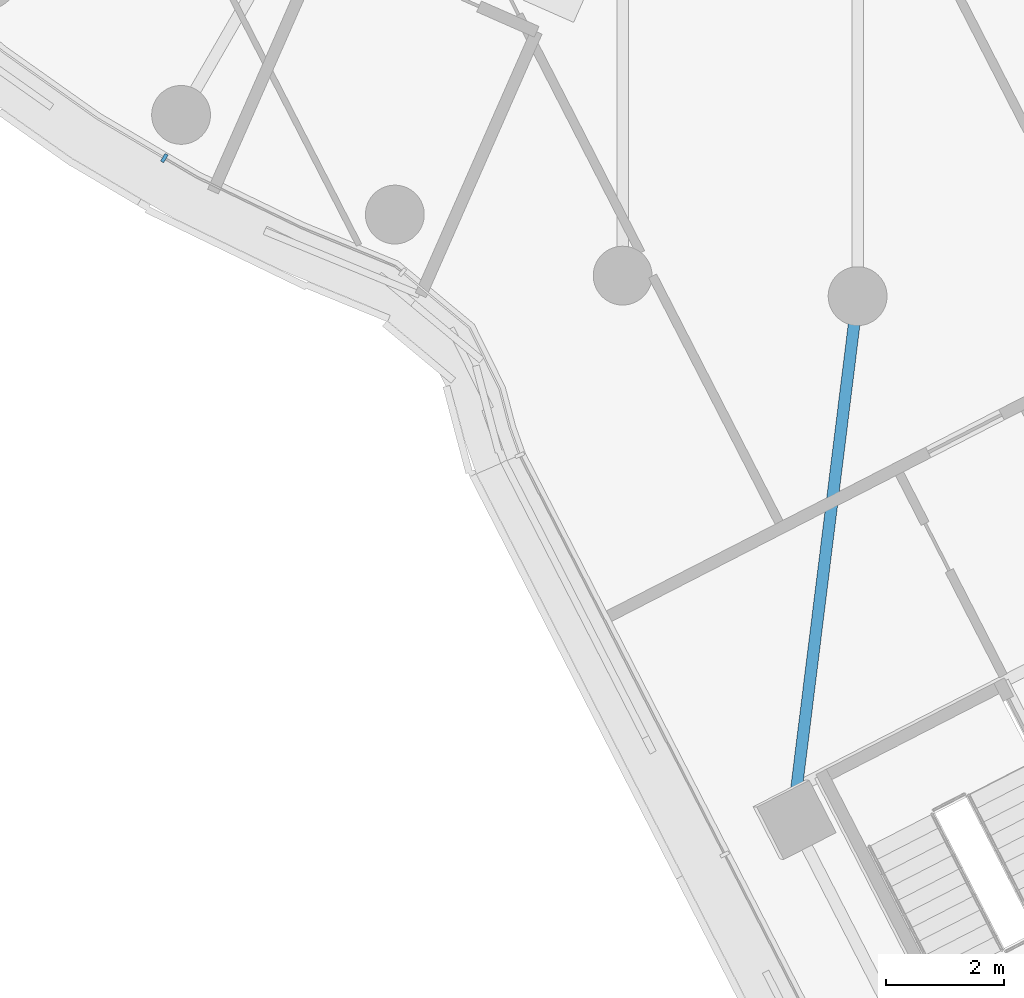
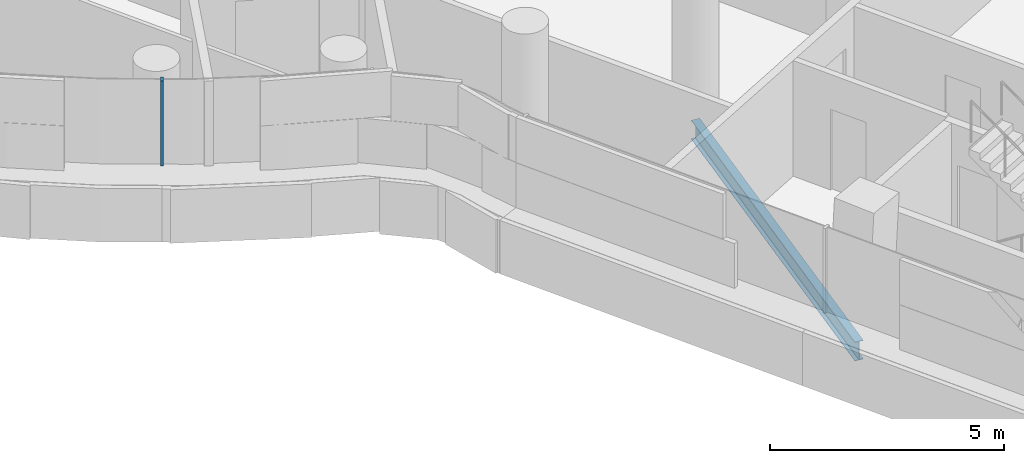
# One storey, part 4 of 37: 1 beam, 1 member, 1 element without a shape of its own.
"""IFC4 building model written with IfcOpenShell, lengths in metres."""

from ifc_helpers import new_model, si_unit, direction, frame, origin, origin_2d, place, context, subcontext, project, spatial, rectangle, i_section, extrude, material, layer, layer_set, material_profile, profile_set, type_object, element, aggregate, save


model = new_model("IFC4")

# Units and contexts
model_context = context("Model", 3, precision=1e-05, world=origin(), true_north=direction((0.0, 1.0)))
body_context = subcontext(model_context, "Body", "Model", "MODEL_VIEW")
ifc_project = project(units=[si_unit("LENGTHUNIT", "METRE"), si_unit("AREAUNIT", "SQUARE_METRE"), si_unit("VOLUMEUNIT", "CUBIC_METRE"), si_unit("PLANEANGLEUNIT", "RADIAN"), si_unit("MASSUNIT", "GRAM", prefix="KILO")], contexts=[model_context])

# Site, building, storey
site_placement = place(None, origin())
site = spatial("IfcSite", under=ifc_project, at=site_placement, CompositionType="ELEMENT")
building_placement = place(site_placement, origin())
building = spatial("IfcBuilding", under=site, at=building_placement, Name="Tamarind Cross Interchange Tower", CompositionType="ELEMENT")
storey_placement = place(building_placement, frame((0.0, 0.0, 133.0)))
storey = spatial("IfcBuildingStorey", under=building, at=storey_placement, Name="L32", CompositionType="ELEMENT", Elevation=133.0)

# Beam
ifc_material_1 = material(Name="Steel Q355B", Category="steel")
ifc_material_profile_1 = material_profile(ifc_material_1, i_section(OverallWidth=0.198974609375, OverallDepth=0.49609375, WebThickness=0.009033203125, FlangeThickness=0.013916015625, FilletRadius=0.012939453125, at=origin_2d()), Name="HN 496x199x9x14")
ifc_profile_set_1 = profile_set([ifc_material_profile_1], Name="Steel Q355B")
beam_type = type_object("IfcBeamType", Name="Composite beam HN 496x199x9x14 Q355B", PredefinedType="BEAM", material=ifc_profile_set_1)
beam_placement = place(storey_placement, frame((-1.10400390625, -31.8955078125, -0.387939453125), z_axis=(0.123163121092, 0.992386439651, 0.0), x_axis=(-0.992386439651, 0.123163121092, 0.0)))
element("IfcBeam", 1, at=beam_placement, inside=storey, type_object=beam_type, Name="Beam S-linkem", PredefinedType="BEAM", context=body_context, shape_type="SweptSolid", body=[
    extrude(i_section(OverallWidth=0.198974609375, OverallDepth=0.49609375, WebThickness=0.009033203125, FlangeThickness=0.013916015625, FilletRadius=0.012939453125, at=origin_2d()), origin(), (0.0, 0.0, 1.0), 8.9638671875),
])

# Curtain wall, member
ifc_material_2 = material(Name="Aluminium 6063-T6", Category="aluminium")
ifc_layer = layer(ifc_material_2, 0.14990234375)
ifc_layer_set = layer_set([ifc_layer], Name="Aluminium 6063-T6")
curtain_wall_type = type_object("IfcCurtainWallType", Name="Winter garden and crown curtain wall", PredefinedType="NOTDEFINED", material=ifc_layer_set)
curtain_wall_placement = place(storey_placement, origin())
curtain_wall = element("IfcCurtainWall", 2, at=curtain_wall_placement, inside=storey, type_object=curtain_wall_type, Name="CWS-L32-02", PredefinedType="NOTDEFINED")
ifc_material_profile_2 = material_profile(ifc_material_2, rectangle(XDim=0.06005859375, YDim=0.14990234375, at=origin_2d()), Name="Mullion CW6")
ifc_profile_set_2 = profile_set([ifc_material_profile_2], Name="Aluminium 6063-T6")
member_type = type_object("IfcMemberType", Name="Mullion CW6", PredefinedType="MULLION", material=ifc_profile_set_2)
member_placement = place(storey_placement, frame((-11.784423828125, -20.65234375, 1.39990234375), z_axis=(0.0, 0.0, 1.0), x_axis=(0.861248933065, -0.508183308752, 0.0)))
member = element("IfcMember", 3, at=member_placement, type_object=member_type, Name="CWM-L32-02-03", PredefinedType="MULLION", context=body_context, shape_type="SweptSolid", body=[
    extrude(rectangle(XDim=0.06005859375, YDim=0.14990234375, at=origin_2d()), origin(), (0.0, 0.0, 1.0), 2.210205078125),
])
aggregate(curtain_wall, [member])

save(model, "model.ifc")
